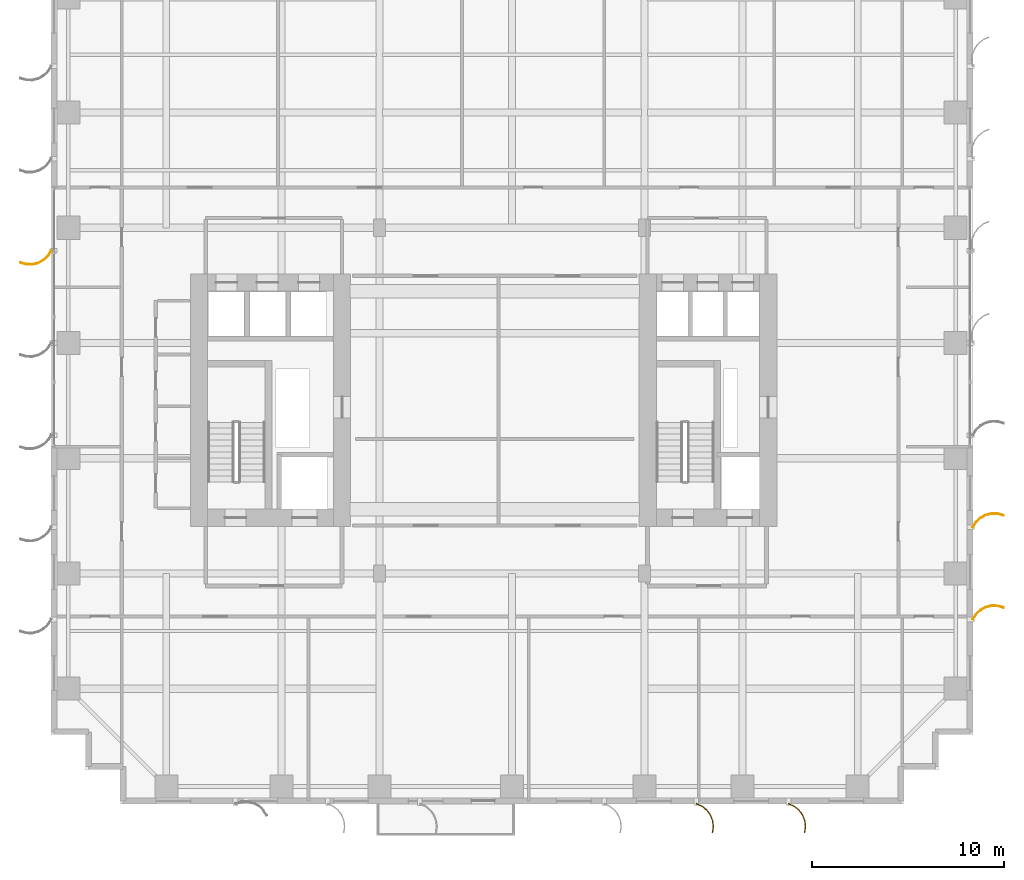
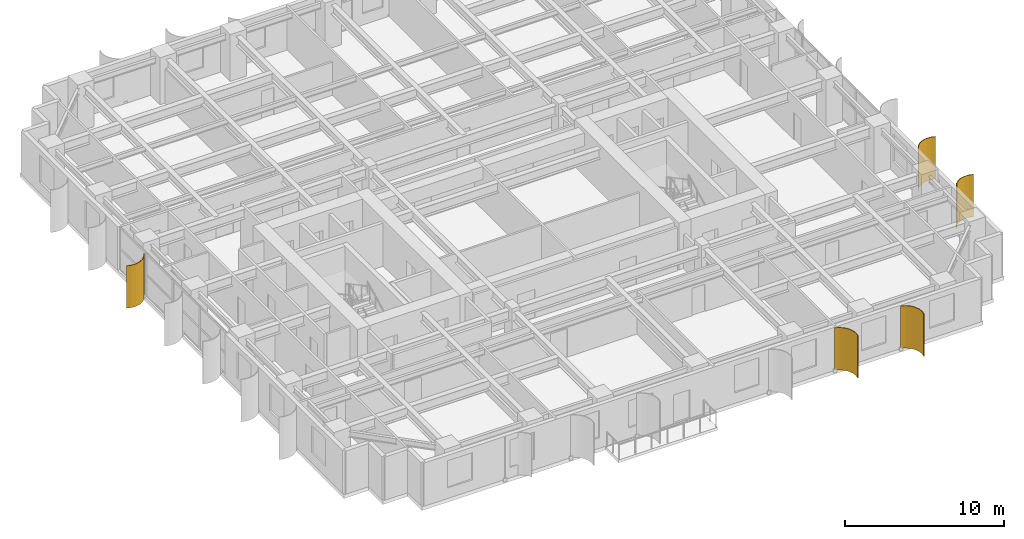
# One storey, part 14 of 16: 5 shading devices.
"""IFC4 building model written with IfcOpenShell, lengths in metres."""

from ifc_helpers import new_model, si_unit, direction, frame, origin, place, context, subcontext, project, spatial, polyline, outline, extrude, source, transform, mapped, material, layer, layer_set, type_object, element, save


model = new_model("IFC4")

# Units and contexts
model_context = context("Model", 3, precision=1e-05, world=origin(), true_north=direction((0.0, 1.0)))
body_context = subcontext(model_context, "Body", "Model", "MODEL_VIEW")
ifc_project = project(units=[si_unit("LENGTHUNIT", "METRE"), si_unit("AREAUNIT", "SQUARE_METRE"), si_unit("VOLUMEUNIT", "CUBIC_METRE"), si_unit("PLANEANGLEUNIT", "RADIAN"), si_unit("MASSUNIT", "GRAM", prefix="KILO")], contexts=[model_context])

# Site, building, storey
site_placement = place(None, origin())
site = spatial("IfcSite", under=ifc_project, at=site_placement, CompositionType="ELEMENT")
building_placement = place(site_placement, origin())
building = spatial("IfcBuilding", under=site, at=building_placement, Name="Khoralis Quay Care Tower", CompositionType="ELEMENT")
storey_placement = place(building_placement, frame((0.0, 0.0, 29.699951171875)))
storey = spatial("IfcBuildingStorey", under=building, at=storey_placement, Name="L07", CompositionType="ELEMENT", Elevation=29.699951171875)

# Shading devices
ifc_material = material(Name="Brushed pale anodised aluminium", Category="aluminium")
ifc_layer = layer(ifc_material, 0.044921875)
ifc_layer_set = layer_set([ifc_layer], Name="Brushed pale anodised aluminium")
shading_device_type = type_object("IfcShadingDeviceType", Name="SHD-FIN-1250", PredefinedType="USERDEFINED", material=ifc_layer_set)
shared_shape_1 = source(origin(), body_context, "Body", "SweptSolid", [
    extrude(outline(polyline([(0.0, 0.0), (0.130126953125, 0.29931640625), (0.333251953125, 0.5546875), (0.595458984375, 0.748779296875), (0.899169921875, 0.868408203125), (1.223388671875, 0.9052734375), (1.546142578125, 0.85693359375), (1.53369140625, 0.813720703125), (1.22265625, 0.8603515625), (0.91015625, 0.82470703125), (0.617431640625, 0.70947265625), (0.364501953125, 0.522216796875), (0.168701171875, 0.276123046875), (0.043212890625, -0.012451171875), (0.0, 0.0)])), origin(), (0.0, 0.0, 1.0), 3.260009765625),
])
for number, where, z_axis, x_axis, name in (
    (1, (33.60009765625, 0.030029296875, 0.02001953125), (0.0, 0.0, 1.0), (0.0, -1.0, 0.0), "L07 Curved Solar Fin P1E0-06"),
    (2, (38.39990234375, 0.030029296875, 0.02001953125), (0.0, 0.0, 1.0), (0.0, -1.0, 0.0), "L07 Curved Solar Fin P1E0-07"),
):
    element("IfcShadingDevice", number, at=place(storey_placement, frame(where, z_axis=z_axis, x_axis=x_axis)), inside=storey, type_object=shading_device_type, Name=name, ObjectType="FIN", PredefinedType="USERDEFINED", context=body_context, shape_type="MappedRepresentation", body=[
        mapped(shared_shape_1, transform((0.0, 0.0, 0.0), scale=1.0)),
    ])
shared_shape_2 = source(origin(), body_context, "Body", "SweptSolid", [
    extrude(outline(polyline([(0.0, 0.0), (0.17041015625, 0.2783203125), (0.4072265625, 0.5029296875), (0.694091796875, 0.658447265625), (1.01123046875, 0.734619140625), (1.33740234375, 0.72607421875), (1.650390625, 0.633544921875), (1.632080078125, 0.59228515625), (1.330322265625, 0.681640625), (1.015869140625, 0.68994140625), (0.710205078125, 0.616455078125), (0.43359375, 0.466552734375), (0.20556640625, 0.25), (0.041015625, -0.018310546875), (0.0, 0.0)])), origin(), (0.0, 0.0, 1.0), 3.260009765625),
])
for number, where, z_axis, x_axis, name in (
    (3, (47.969970703125, 9.60009765625, 0.02001953125), (0.0, 0.0, 1.0), (1.0, 0.0, 0.0), "L07 Curved Solar Fin P1E5-01"),
    (4, (47.969970703125, 14.39990234375, 0.02001953125), (0.0, 0.0, 1.0), (1.0, 0.0, 0.0), "L07 Curved Solar Fin P1E5-02"),
    (5, (0.030029296875, 28.800048828125, 0.02001953125), (0.0, 0.0, 1.0), (-1.0, 0.0, 0.0), "L07 Curved Solar Fin P1E15-03"),
):
    element("IfcShadingDevice", number, at=place(storey_placement, frame(where, z_axis=z_axis, x_axis=x_axis)), inside=storey, type_object=shading_device_type, Name=name, ObjectType="FIN", PredefinedType="USERDEFINED", context=body_context, shape_type="MappedRepresentation", body=[
        mapped(shared_shape_2, transform((0.0, 0.0, 0.0), scale=1.0)),
    ])

save(model, "model.ifc")
